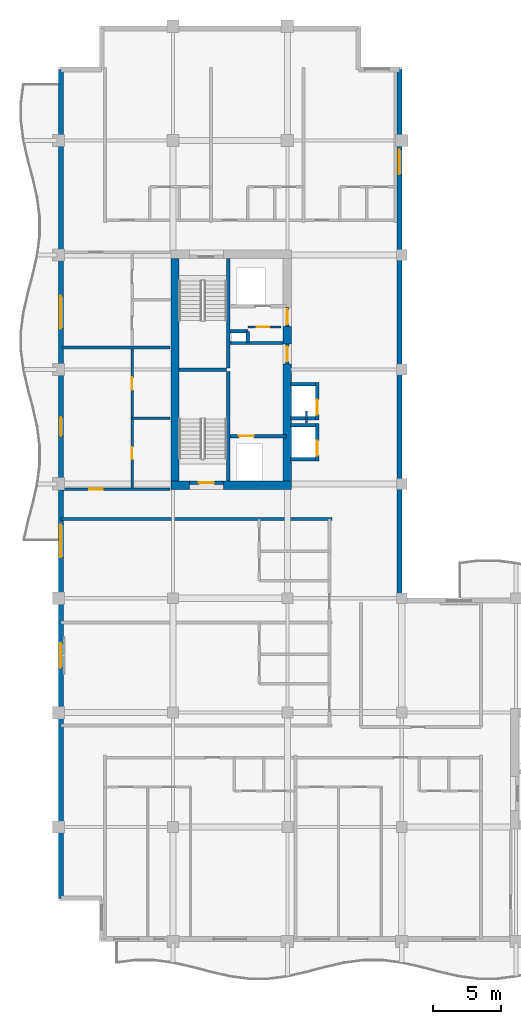
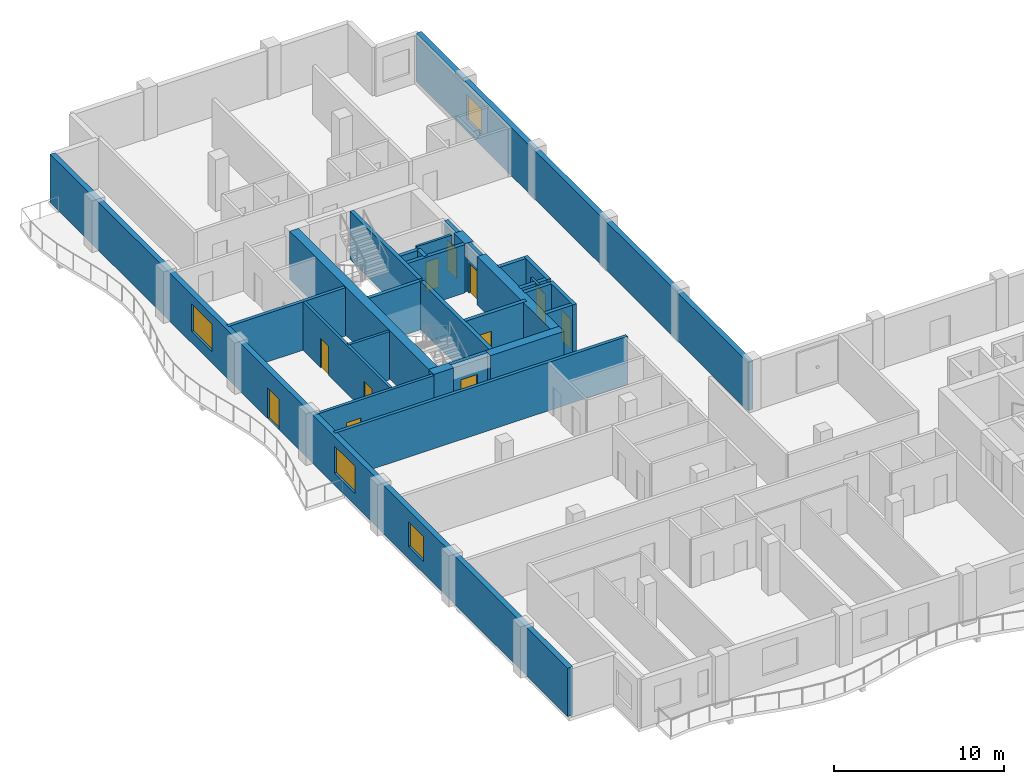
# One storey, part 6 of 12: 30 walls, 11 doors, 4 windows, 15 openings.
"""IFC4 building model written with IfcOpenShell, lengths in metres."""

from ifc_helpers import new_model, si_unit, direction, frame, frame_2d, origin, place, context, subcontext, project, spatial, rectangle, extrude, material, layer, layer_set, type_object, element, fill, save


model = new_model("IFC4")

# Units and contexts
model_context = context("Model", 3, precision=1e-05, world=origin(), true_north=direction((0.0, 1.0)))
body_context = subcontext(model_context, "Body", "Model", "MODEL_VIEW")
ifc_project = project(units=[si_unit("LENGTHUNIT", "METRE"), si_unit("AREAUNIT", "SQUARE_METRE"), si_unit("VOLUMEUNIT", "CUBIC_METRE"), si_unit("PLANEANGLEUNIT", "RADIAN"), si_unit("MASSUNIT", "GRAM", prefix="KILO")], contexts=[model_context])

# Site, building, storey
site_placement = place(None, origin())
site = spatial("IfcSite", under=ifc_project, at=site_placement, CompositionType="ELEMENT")
building_placement = place(site_placement, origin())
building = spatial("IfcBuilding", under=site, at=building_placement, Name="Koriwani Terraces Tower", CompositionType="ELEMENT")
storey_placement = place(building_placement, frame((0.0, 0.0, 256.39990234375)))
storey = spatial("IfcBuildingStorey", under=building, at=storey_placement, Name="L63", CompositionType="ELEMENT", Elevation=256.39990234375)

# Walls
ifc_material_1 = material(Name="Concrete C60/75", Category="concrete")
ifc_layer_1 = layer(ifc_material_1, 0.60009765625, Name="Concrete C60/75")
ifc_layer_set_1 = layer_set([ifc_layer_1], Name="Concrete C60/75")
wall_type_1 = type_object("IfcWallType", Name="WALL_CORE_RC_600", PredefinedType="SHEAR", material=ifc_layer_set_1)
wall_1_placement = place(storey_placement, frame((16.64990234375, 41.89990234375, 0.0), z_axis=(0.0, 0.0, 1.0), x_axis=(1.0, 0.0, 0.0)))
element("IfcWall", 1, at=wall_1_placement, inside=storey, type_object=wall_type_1, Name="L63 West Split Core Shear Wall S1", PredefinedType="SHEAR", context=body_context, shape_type="SweptSolid", body=[
    extrude(rectangle(XDim=1.35009765625, YDim=0.60009765625, at=frame_2d((0.675048828125, 0.0))), origin(), (0.0, 0.0, 1.0), 3.47021484375),
])
wall_2_placement = place(storey_placement, frame((20.5, 41.89990234375, 0.0), z_axis=(0.0, 0.0, 1.0), x_axis=(1.0, 0.0, 0.0)))
element("IfcWall", 2, at=wall_2_placement, inside=storey, type_object=wall_type_1, Name="L63 West Split Core Shear Wall S2", PredefinedType="SHEAR", context=body_context, shape_type="SweptSolid", body=[
    extrude(rectangle(XDim=5.0, YDim=0.60009765625, at=frame_2d((2.5, 0.0))), origin(), (0.0, 0.0, 1.0), 3.47021484375),
])
wall_3_placement = place(storey_placement, frame((16.949951171875, 42.199951171875, 0.0), z_axis=(0.0, 0.0, 1.0), x_axis=(0.0, 1.0, 0.0)))
element("IfcWall", 3, at=wall_3_placement, inside=storey, type_object=wall_type_1, Name="L63 West Split Core Shear Wall W1", PredefinedType="SHEAR", context=body_context, shape_type="SweptSolid", body=[
    extrude(rectangle(XDim=16.35009765625, YDim=0.60009765625, at=frame_2d((8.175048828125, 0.0))), origin(), (0.0, 0.0, 1.0), 3.47021484375),
])
wall_4_placement = place(storey_placement, frame((25.199951171875, 42.199951171875, 0.0), z_axis=(0.0, 0.0, 1.0), x_axis=(0.0, 1.0, 0.0)))
element("IfcWall", 4, at=wall_4_placement, inside=storey, type_object=wall_type_1, Name="L63 West Split Core Shear Wall E1", PredefinedType="SHEAR", context=body_context, shape_type="SweptSolid", body=[
    extrude(rectangle(XDim=8.60009765625, YDim=0.60009765625, at=frame_2d((4.300048828125, 0.0))), origin(), (0.0, 0.0, 1.0), 3.47021484375),
])
wall_5_placement = place(storey_placement, frame((25.199951171875, 52.280029296875, 0.0), z_axis=(0.0, 0.0, 1.0), x_axis=(0.0, 1.0, 0.0)))
element("IfcWall", 5, at=wall_5_placement, inside=storey, type_object=wall_type_1, Name="L63 West Split Core Shear Wall E2", PredefinedType="SHEAR", context=body_context, shape_type="SweptSolid", body=[
    extrude(rectangle(XDim=1.27001953125, YDim=0.60009765625, at=frame_2d((0.635009765625, 0.0))), origin(), (0.0, 0.0, 1.0), 3.47021484375),
])

# Wall, opening, door
ifc_material_2 = material(Name="Autoclaved Cellular Concrete Blockwork", Category="masonry")
ifc_layer_2 = layer(ifc_material_2, 0.199951171875, Name="Autoclaved Cellular Concrete Blockwork")
ifc_layer_set_2 = layer_set([ifc_layer_2], Name="Autoclaved Cellular Concrete Blockwork")
wall_type_2 = type_object("IfcWallType", Name="WALL_CORRIDOR_200", PredefinedType="PARTITIONING", material=ifc_layer_set_2)
wall_6_placement = place(storey_placement, frame((8.64990234375, 41.60009765625, 0.0), z_axis=(0.0, 0.0, 1.0), x_axis=(1.0, 0.0, 0.0)))
wall_6 = element("IfcWall", 6, at=wall_6_placement, inside=storey, type_object=wall_type_2, Name="L63 Interior Wall WRZ4-WS-L63", PredefinedType="PARTITIONING", context=body_context, shape_type="SweptSolid", body=[
    extrude(rectangle(XDim=7.9501953125, YDim=0.199951171875, at=frame_2d((3.97509765625, 0.0))), origin(), (0.0, 0.0, 1.0), 3.47021484375),
])
opening_1_placement = place(wall_6_placement, frame((2.0, 0.0, 0.0)))
opening_1 = element("IfcOpeningElement", 7, at=opening_1_placement, cuts=wall_6, Name="Opening D-05", PredefinedType="OPENING", context=body_context, shape_type="SweptSolid", body=[
    extrude(rectangle(XDim=1.0, YDim=2.14990234375, at=frame_2d((0.5, 1.074951171875))), frame((0.0, 0.10986328125, 0.0), z_axis=(0.0, -1.0, 0.0), x_axis=(1.0, 0.0, 0.0)), (0.0, 0.0, 1.0), 0.219970703125),
])
ifc_material_3 = material(Name="Architectural Oak Fire Door", Category="wood")
door_type_1 = type_object("IfcDoorType", Name="DOOR_SUITE_ENTRY_1000X2150", OperationType="NOTDEFINED", PredefinedType="DOOR", material=ifc_material_3)
door_1_placement = place(opening_1_placement, origin())
door_1 = element("IfcDoor", 8, at=door_1_placement, inside=storey, type_object=door_type_1, Name="Apartment 63RW1 Entrance Door", OperationType="SINGLE_SWING_RIGHT", OverallHeight=2.14990234375, OverallWidth=1.0, PredefinedType="DOOR", context=body_context, shape_type="SweptSolid", body=[
    extrude(rectangle(XDim=1.0, YDim=2.14990234375, at=frame_2d((0.5, 1.074951171875))), frame((0.0, 0.02490234375, 0.0), z_axis=(0.0, -1.0, 0.0), x_axis=(1.0, 0.0, 0.0)), (0.0, 0.0, 1.0), 0.050048828125),
])
fill(opening_1, door_1)

# Walls
ifc_layer_3 = layer(ifc_material_2, 0.219970703125, Name="Autoclaved Cellular Concrete Blockwork")
ifc_layer_set_3 = layer_set([ifc_layer_3], Name="Autoclaved Cellular Concrete Blockwork")
wall_type_3 = type_object("IfcWallType", Name="WALL_DEMISING_220", PredefinedType="PARTITIONING", material=ifc_layer_set_3)
wall_7_placement = place(storey_placement, frame((8.64990234375, 52.0, 0.0), z_axis=(0.0, 0.0, 1.0), x_axis=(1.0, 0.0, 0.0)))
element("IfcWall", 9, at=wall_7_placement, inside=storey, type_object=wall_type_3, Name="L63 Interior Wall WRZ4-WM-L63", PredefinedType="PARTITIONING", context=body_context, shape_type="SweptSolid", body=[
    extrude(rectangle(XDim=7.9501953125, YDim=0.219970703125, at=frame_2d((3.97509765625, 0.0))), origin(), (0.0, 0.0, 1.0), 3.47021484375),
])
wall_8_placement = place(storey_placement, frame((8.60009765625, 39.39990234375, 0.0), z_axis=(0.0, 0.0, 1.0), x_axis=(1.0, 0.0, 0.0)))
element("IfcWall", 10, at=wall_8_placement, inside=storey, type_object=wall_type_3, Name="L63 Interior Wall WRDEME-L63-NE", PredefinedType="PARTITIONING", context=body_context, shape_type="SweptSolid", body=[
    extrude(rectangle(XDim=19.8798828125, YDim=0.219970703125, at=frame_2d((9.93994140625, 0.0))), origin(), (0.0, 0.0, 1.0), 3.47021484375),
])

# Wall, openings, door, windows
ifc_material_4 = material(Name="Concrete C50/60", Category="concrete")
ifc_layer_4 = layer(ifc_material_4, 0.35009765625, Name="Concrete C50/60")
ifc_layer_set_4 = layer_set([ifc_layer_4], Name="Concrete C50/60")
wall_type_4 = type_object("IfcWallType", Name="WALL_EXT_BRUTALIST_350", PredefinedType="STANDARD", material=ifc_layer_set_4)
wall_9_placement = place(storey_placement, frame((8.574951171875, 11.574951171875, 0.0), z_axis=(0.0, 0.0, 1.0), x_axis=(0.0, 1.0, 0.0)))
wall_9 = element("IfcWall", 11, at=wall_9_placement, inside=storey, type_object=wall_type_4, Name="L63 Fair-Faced Brutalist Exterior Wall (W)", PredefinedType="STANDARD", context=body_context, shape_type="SweptSolid", body=[
    extrude(rectangle(XDim=60.85009765625, YDim=0.35009765625, at=frame_2d((30.425048828125, 0.0))), origin(), (0.0, 0.0, 1.0), 3.47021484375),
])
opening_2_placement = place(wall_9_placement, frame((33.925048828125, 0.0, 0.0)))
opening_2 = element("IfcOpeningElement", 12, at=opening_2_placement, cuts=wall_9, Name="Opening D-09", PredefinedType="OPENING", context=body_context, shape_type="SweptSolid", body=[
    extrude(rectangle(XDim=1.39990234375, YDim=2.199951171875, at=frame_2d((0.699951171875, 1.10009765625))), frame((0.0, 0.18505859375, 0.0), z_axis=(0.0, -1.0, 0.0), x_axis=(1.0, 0.0, 0.0)), (0.0, 0.0, 1.0), 0.3701171875),
])
opening_3_placement = place(wall_9_placement, frame((16.925048828125, 0.0, 0.85009765625)))
opening_3 = element("IfcOpeningElement", 13, at=opening_3_placement, cuts=wall_9, Name="Opening W-04", PredefinedType="OPENING", context=body_context, shape_type="SweptSolid", body=[
    extrude(rectangle(XDim=1.800048828125, YDim=1.800048828125, at=frame_2d((0.89990234375, 0.89990234375))), frame((0.0, 0.18505859375, 0.0), z_axis=(0.0, -1.0, 0.0), x_axis=(1.0, 0.0, 0.0)), (0.0, 0.0, 1.0), 0.3701171875),
])
opening_4_placement = place(wall_9_placement, frame((25.02490234375, 0.0, 0.85009765625)))
opening_4 = element("IfcOpeningElement", 14, at=opening_4_placement, cuts=wall_9, Name="Opening W-03", PredefinedType="OPENING", context=body_context, shape_type="SweptSolid", body=[
    extrude(rectangle(XDim=2.39990234375, YDim=1.949951171875, at=frame_2d((1.199951171875, 0.97509765625))), frame((0.0, 0.18505859375, 0.0), z_axis=(0.0, -1.0, 0.0), x_axis=(1.0, 0.0, 0.0)), (0.0, 0.0, 1.0), 0.3701171875),
])
opening_5_placement = place(wall_9_placement, frame((41.824951171875, 0.0, 0.85009765625)))
opening_5 = element("IfcOpeningElement", 15, at=opening_5_placement, cuts=wall_9, Name="Opening W-03", PredefinedType="OPENING", context=body_context, shape_type="SweptSolid", body=[
    extrude(rectangle(XDim=2.39990234375, YDim=1.949951171875, at=frame_2d((1.199951171875, 0.97509765625))), frame((0.0, 0.18505859375, 0.0), z_axis=(0.0, -1.0, 0.0), x_axis=(1.0, 0.0, 0.0)), (0.0, 0.0, 1.0), 0.3701171875),
])
ifc_material_5 = material(Name="Anodised Bronze Aluminium", Category="aluminium")
door_type_2 = type_object("IfcDoorType", Name="DOOR_BALCONY_GLAZED_1400X2200", OperationType="NOTDEFINED", PredefinedType="DOOR", material=ifc_material_5)
door_2_placement = place(opening_2_placement, origin())
door_2 = element("IfcDoor", 16, at=door_2_placement, inside=storey, type_object=door_type_2, Name="L63 West Balcony Glazed Door", OperationType="SINGLE_SWING_LEFT", OverallHeight=2.199951171875, OverallWidth=1.39990234375, PredefinedType="DOOR", context=body_context, shape_type="SweptSolid", body=[
    extrude(rectangle(XDim=1.39990234375, YDim=2.199951171875, at=frame_2d((0.699951171875, 1.10009765625))), frame((0.0, 0.02490234375, 0.0), z_axis=(0.0, -1.0, 0.0), x_axis=(1.0, 0.0, 0.0)), (0.0, 0.0, 1.0), 0.050048828125),
])
fill(opening_2, door_2)
ifc_material_6 = material(Name="Tempered Laminated Low-E Glass", Category="glass")
window_type_1 = type_object("IfcWindowType", Name="WIN_RES_BED_1800X1800", PartitioningType="DOUBLE_PANEL_VERTICAL", PredefinedType="WINDOW", material=ifc_material_6)
window_1_placement = place(opening_3_placement, origin())
window_1 = element("IfcWindow", 17, at=window_1_placement, inside=storey, type_object=window_type_1, Name="L63 Exterior Window (W-6)", OverallHeight=1.800048828125, OverallWidth=1.800048828125, PartitioningType="SINGLE_PANEL", PredefinedType="WINDOW", context=body_context, shape_type="SweptSolid", body=[
    extrude(rectangle(XDim=1.800048828125, YDim=1.800048828125, at=frame_2d((0.89990234375, 0.89990234375))), frame((0.0, 0.030029296875, 0.0), z_axis=(0.0, -1.0, 0.0), x_axis=(1.0, 0.0, 0.0)), (0.0, 0.0, 1.0), 0.06005859375),
])
fill(opening_3, window_1)
window_type_2 = type_object("IfcWindowType", Name="WIN_RES_LIVING_2400X1950", PartitioningType="DOUBLE_PANEL_VERTICAL", PredefinedType="WINDOW", material=ifc_material_6)
window_2_placement = place(opening_4_placement, origin())
window_2 = element("IfcWindow", 18, at=window_2_placement, inside=storey, type_object=window_type_2, Name="L63 Exterior Window (W-9)", OverallHeight=1.949951171875, OverallWidth=2.39990234375, PartitioningType="SINGLE_PANEL", PredefinedType="WINDOW", context=body_context, shape_type="SweptSolid", body=[
    extrude(rectangle(XDim=2.39990234375, YDim=1.949951171875, at=frame_2d((1.199951171875, 0.97509765625))), frame((0.0, 0.030029296875, 0.0), z_axis=(0.0, -1.0, 0.0), x_axis=(1.0, 0.0, 0.0)), (0.0, 0.0, 1.0), 0.06005859375),
])
fill(opening_4, window_2)
window_3_placement = place(opening_5_placement, origin())
window_3 = element("IfcWindow", 19, at=window_3_placement, inside=storey, type_object=window_type_2, Name="L63 Exterior Window (W-15)", OverallHeight=1.949951171875, OverallWidth=2.39990234375, PartitioningType="SINGLE_PANEL", PredefinedType="WINDOW", context=body_context, shape_type="SweptSolid", body=[
    extrude(rectangle(XDim=2.39990234375, YDim=1.949951171875, at=frame_2d((1.199951171875, 0.97509765625))), frame((0.0, 0.030029296875, 0.0), z_axis=(0.0, -1.0, 0.0), x_axis=(1.0, 0.0, 0.0)), (0.0, 0.0, 1.0), 0.06005859375),
])
fill(opening_5, window_3)

# Wall, opening, window
wall_10_placement = place(storey_placement, frame((33.425048828125, 72.425048828125, 0.0), z_axis=(0.0, 0.0, 1.0), x_axis=(0.0, -1.0, 0.0)))
wall_10 = element("IfcWall", 20, at=wall_10_placement, inside=storey, type_object=wall_type_4, Name="L63 Fair-Faced Brutalist Exterior Wall (NW_IN)", PredefinedType="STANDARD", context=body_context, shape_type="SweptSolid", body=[
    extrude(rectangle(XDim=39.0, YDim=0.35009765625, at=frame_2d((19.5, 0.0))), origin(), (0.0, 0.0, 1.0), 3.47021484375),
])
opening_6_placement = place(wall_10_placement, frame((5.89990234375, 0.0, 0.85009765625)))
opening_6 = element("IfcOpeningElement", 21, at=opening_6_placement, cuts=wall_10, Name="Opening W-04", PredefinedType="OPENING", context=body_context, shape_type="SweptSolid", body=[
    extrude(rectangle(XDim=1.800048828125, YDim=1.800048828125, at=frame_2d((0.89990234375, 0.89990234375))), frame((0.0, 0.18505859375, 0.0), z_axis=(0.0, -1.0, 0.0), x_axis=(1.0, 0.0, 0.0)), (0.0, 0.0, 1.0), 0.3701171875),
])
window_4_placement = place(opening_6_placement, origin())
window_4 = element("IfcWindow", 22, at=window_4_placement, inside=storey, type_object=window_type_1, Name="L63 Exterior Window (NW_IN-R54)", OverallHeight=1.800048828125, OverallWidth=1.800048828125, PartitioningType="SINGLE_PANEL", PredefinedType="WINDOW", context=body_context, shape_type="SweptSolid", body=[
    extrude(rectangle(XDim=1.800048828125, YDim=1.800048828125, at=frame_2d((0.89990234375, 0.89990234375))), frame((0.0, 0.030029296875, 0.0), z_axis=(0.0, -1.0, 0.0), x_axis=(1.0, 0.0, 0.0)), (0.0, 0.0, 1.0), 0.06005859375),
])
fill(opening_6, window_4)

# Wall, openings, doors
ifc_material_7 = material(Name="Fire-Rated Acoustic Gypsum Partition", Category="masonry")
ifc_layer_5 = layer(ifc_material_7, 0.179931640625, Name="Fire-Rated Acoustic Gypsum Partition")
ifc_layer_set_5 = layer_set([ifc_layer_5], Name="Fire-Rated Acoustic Gypsum Partition")
wall_type_5 = type_object("IfcWallType", Name="WALL_PLUMBING_180", PredefinedType="PLUMBINGWALL", material=ifc_layer_set_5)
wall_11_placement = place(storey_placement, frame((13.800048828125, 41.699951171875, 0.0), z_axis=(0.0, 0.0, 1.0), x_axis=(0.0, 1.0, 0.0)))
wall_11 = element("IfcWall", 23, at=wall_11_placement, inside=storey, type_object=wall_type_5, Name="L63 Interior Wall WRZ4-RW1-PB-L63", PredefinedType="PLUMBINGWALL", context=body_context, shape_type="SweptSolid", body=[
    extrude(rectangle(XDim=10.199951171875, YDim=0.179931640625, at=frame_2d((5.10009765625, 0.0))), origin(), (0.0, 0.0, 1.0), 3.47021484375),
])
opening_7_placement = place(wall_11_placement, frame((2.10009765625, 0.0, 0.0)))
opening_7 = element("IfcOpeningElement", 24, at=opening_7_placement, cuts=wall_11, Name="Opening D-07", PredefinedType="OPENING", context=body_context, shape_type="SweptSolid", body=[
    extrude(rectangle(XDim=0.89990234375, YDim=2.10009765625, at=frame_2d((0.449951171875, 1.050048828125))), frame((0.0, 0.10009765625, 0.0), z_axis=(0.0, -1.0, 0.0), x_axis=(1.0, 0.0, 0.0)), (0.0, 0.0, 1.0), 0.199951171875),
])
opening_8_placement = place(wall_11_placement, frame((7.18994140625, 0.0, 0.0)))
opening_8 = element("IfcOpeningElement", 25, at=opening_8_placement, cuts=wall_11, Name="Opening D-06", PredefinedType="OPENING", context=body_context, shape_type="SweptSolid", body=[
    extrude(rectangle(XDim=0.919921875, YDim=2.10009765625, at=frame_2d((0.4599609375, 1.050048828125))), frame((0.0, 0.10009765625, 0.0), z_axis=(0.0, -1.0, 0.0), x_axis=(1.0, 0.0, 0.0)), (0.0, 0.0, 1.0), 0.199951171875),
])
door_type_3 = type_object("IfcDoorType", Name="DOOR_BATH_INT_900X2100", OperationType="NOTDEFINED", PredefinedType="DOOR", material=ifc_material_3)
door_3_placement = place(opening_7_placement, origin())
door_3 = element("IfcDoor", 26, at=door_3_placement, inside=storey, type_object=door_type_3, Name="Apartment 63RW1 Bathroom Door", OperationType="SINGLE_SWING_RIGHT", OverallHeight=2.10009765625, OverallWidth=0.89990234375, PredefinedType="DOOR", context=body_context, shape_type="SweptSolid", body=[
    extrude(rectangle(XDim=0.89990234375, YDim=2.10009765625, at=frame_2d((0.449951171875, 1.050048828125))), frame((0.0, 0.02490234375, 0.0), z_axis=(0.0, -1.0, 0.0), x_axis=(1.0, 0.0, 0.0)), (0.0, 0.0, 1.0), 0.050048828125),
])
fill(opening_7, door_3)
door_type_4 = type_object("IfcDoorType", Name="DOOR_ROOM_INT_920X2100", OperationType="NOTDEFINED", PredefinedType="DOOR", material=ifc_material_3)
door_4_placement = place(opening_8_placement, origin())
door_4 = element("IfcDoor", 27, at=door_4_placement, inside=storey, type_object=door_type_4, Name="Apartment 63RW1 Kitchen Door", OperationType="SINGLE_SWING_LEFT", OverallHeight=2.10009765625, OverallWidth=0.919921875, PredefinedType="DOOR", context=body_context, shape_type="SweptSolid", body=[
    extrude(rectangle(XDim=0.919921875, YDim=2.10009765625, at=frame_2d((0.4599609375, 1.050048828125))), frame((0.0, 0.02490234375, 0.0), z_axis=(0.0, -1.0, 0.0), x_axis=(1.0, 0.0, 0.0)), (0.0, 0.0, 1.0), 0.050048828125),
])
fill(opening_8, door_4)

# Walls
wall_12_placement = place(storey_placement, frame((13.800048828125, 46.800048828125, 0.0), z_axis=(0.0, 0.0, 1.0), x_axis=(1.0, 0.0, 0.0)))
element("IfcWall", 28, at=wall_12_placement, inside=storey, type_object=wall_type_5, Name="L63 Interior Wall WRZ4-RW1-P2-L63", PredefinedType="PLUMBINGWALL", context=body_context, shape_type="SweptSolid", body=[
    extrude(rectangle(XDim=2.800048828125, YDim=0.179931640625, at=frame_2d((1.39990234375, 0.0))), origin(), (0.0, 0.0, 1.0), 3.47021484375),
])
ifc_material_8 = material(Name="Concrete C40/50", Category="concrete")
ifc_layer_6 = layer(ifc_material_8, 0.25, Name="Concrete C40/50")
ifc_layer_set_6 = layer_set([ifc_layer_6], Name="Concrete C40/50")
wall_type_6 = type_object("IfcWallType", Name="WALL_SHAFT_RATED_250", PredefinedType="SOLIDWALL", material=ifc_layer_set_6)
for number, where, z_axis, x_axis, name in (
    (29, (20.875, 42.199951171875, 0.0), (0.0, 0.0, 1.0), (0.0, 1.0, 0.0), "L63 West Split Core Web Wall MID1"),
    (30, (20.875, 50.5, 0.0), (0.0, 0.0, 1.0), (0.0, 1.0, 0.0), "L63 West Split Core Web Wall MID2"),
):
    element("IfcWall", number, at=place(storey_placement, frame(where, z_axis=z_axis, x_axis=x_axis)), inside=storey, type_object=wall_type_6, Name=name, PredefinedType="SOLIDWALL", context=body_context, shape_type="SweptSolid", body=[
        extrude(rectangle(XDim=8.050048828125, YDim=0.25, at=frame_2d((4.02490234375, 0.0))), origin(), (0.0, 0.0, 1.0), 3.47021484375),
    ])
wall_13_placement = place(storey_placement, frame((17.25, 50.375, 0.0), z_axis=(0.0, 0.0, 1.0), x_axis=(1.0, 0.0, 0.0)))
element("IfcWall", 31, at=wall_13_placement, inside=storey, type_object=wall_type_6, Name="L63 West Split Core Stair Dividing Wall", PredefinedType="SOLIDWALL", context=body_context, shape_type="SweptSolid", body=[
    extrude(rectangle(XDim=3.5, YDim=0.25, at=frame_2d((1.75, 0.0))), origin(), (0.0, 0.0, 1.0), 3.47021484375),
])

# Wall, opening, door
wall_14_placement = place(storey_placement, frame((18.0, 42.074951171875, 0.0), z_axis=(0.0, 0.0, 1.0), x_axis=(1.0, 0.0, 0.0)))
wall_14 = element("IfcWall", 32, at=wall_14_placement, inside=storey, type_object=wall_type_6, Name="L63 Interior Wall WIN-CW-L63-STS", PredefinedType="SOLIDWALL", context=body_context, shape_type="SweptSolid", body=[
    extrude(rectangle(XDim=2.5, YDim=0.25, at=frame_2d((1.25, 0.0))), origin(), (0.0, 0.0, 1.0), 3.47021484375),
])
opening_9_placement = place(wall_14_placement, frame((0.699951171875, 0.0, 0.0)))
opening_9 = element("IfcOpeningElement", 33, at=opening_9_placement, cuts=wall_14, Name="Opening D-03", PredefinedType="OPENING", context=body_context, shape_type="SweptSolid", body=[
    extrude(rectangle(XDim=1.10009765625, YDim=2.14990234375, at=frame_2d((0.550048828125, 1.074951171875))), frame((0.0, 0.135009765625, 0.0), z_axis=(0.0, -1.0, 0.0), x_axis=(1.0, 0.0, 0.0)), (0.0, 0.0, 1.0), 0.27001953125),
])
ifc_material_9 = material(Name="Steel ASTM A572 Grade 50", Category="steel")
door_type_5 = type_object("IfcDoorType", Name="DOOR_STAIR_FIRE_1100X2150", OperationType="NOTDEFINED", PredefinedType="DOOR", material=ifc_material_9)
door_5_placement = place(opening_9_placement, origin())
door_5 = element("IfcDoor", 34, at=door_5_placement, inside=storey, type_object=door_type_5, Name="L63 Exit Stair ST-W1 Door", OperationType="SINGLE_SWING_LEFT", OverallHeight=2.14990234375, OverallWidth=1.10009765625, PredefinedType="DOOR", context=body_context, shape_type="SweptSolid", body=[
    extrude(rectangle(XDim=1.10009765625, YDim=2.14990234375, at=frame_2d((0.550048828125, 1.074951171875))), frame((0.0, 0.02490234375, 0.0), z_axis=(0.0, -1.0, 0.0), x_axis=(1.0, 0.0, 0.0)), (0.0, 0.0, 1.0), 0.050048828125),
])
fill(opening_9, door_5)

wall_15_placement = place(storey_placement, frame((21.0, 45.5, 0.0), z_axis=(0.0, 0.0, 1.0), x_axis=(1.0, 0.0, 0.0)))
wall_15 = element("IfcWall", 35, at=wall_15_placement, inside=storey, type_object=wall_type_6, Name="L63 Interior Wall WIN-CW-L63-FE", PredefinedType="SOLIDWALL", context=body_context, shape_type="SweptSolid", body=[
    extrude(rectangle(XDim=4.14990234375, YDim=0.25, at=frame_2d((2.074951171875, 0.0))), origin(), (0.0, 0.0, 1.0), 3.47021484375),
])
opening_10_placement = place(wall_15_placement, frame((0.64990234375, 0.0, 0.0)))
opening_10 = element("IfcOpeningElement", 36, at=opening_10_placement, cuts=wall_15, Name="Opening LD-01", PredefinedType="OPENING", context=body_context, shape_type="SweptSolid", body=[
    extrude(rectangle(XDim=1.10009765625, YDim=2.14990234375, at=frame_2d((0.550048828125, 1.074951171875))), frame((0.0, 0.135009765625, 0.0), z_axis=(0.0, -1.0, 0.0), x_axis=(1.0, 0.0, 0.0)), (0.0, 0.0, 1.0), 0.27001953125),
])
door_type_6 = type_object("IfcDoorType", Name="DOOR_LIFT_LANDING_1100X2200", OperationType="NOTDEFINED", PredefinedType="DOOR", material=ifc_material_9)
door_6_placement = place(opening_10_placement, origin())
door_6 = element("IfcDoor", 37, at=door_6_placement, inside=storey, type_object=door_type_6, Name="L63 Firefighting Lift FE-01 Landing Door", OperationType="SLIDING_TO_LEFT", OverallHeight=2.14990234375, OverallWidth=1.10009765625, PredefinedType="DOOR", context=body_context, shape_type="SweptSolid", body=[
    extrude(rectangle(XDim=1.10009765625, YDim=2.14990234375, at=frame_2d((0.550048828125, 1.074951171875))), frame((0.0, 0.02490234375, 0.0), z_axis=(0.0, -1.0, 0.0), x_axis=(1.0, 0.0, 0.0)), (0.0, 0.0, 1.0), 0.050048828125),
])
fill(opening_10, door_6)

wall_16_placement = place(storey_placement, frame((25.199951171875, 50.800048828125, 0.0), z_axis=(0.0, 0.0, 1.0), x_axis=(0.0, 1.0, 0.0)))
wall_16 = element("IfcWall", 38, at=wall_16_placement, inside=storey, type_object=wall_type_6, Name="L63 Interior Wall WIN-CW-L63-EP", PredefinedType="SOLIDWALL", context=body_context, shape_type="SweptSolid", body=[
    extrude(rectangle(XDim=1.47998046875, YDim=0.25, at=frame_2d((0.739990234375, 0.0))), origin(), (0.0, 0.0, 1.0), 3.47021484375),
])
opening_11_placement = place(wall_16_placement, frame((0.179931640625, 0.0, 0.0)))
opening_11 = element("IfcOpeningElement", 39, at=opening_11_placement, cuts=wall_16, Name="Opening D-03", PredefinedType="OPENING", context=body_context, shape_type="SweptSolid", body=[
    extrude(rectangle(XDim=1.10009765625, YDim=2.14990234375, at=frame_2d((0.550048828125, 1.074951171875))), frame((0.0, 0.135009765625, 0.0), z_axis=(0.0, -1.0, 0.0), x_axis=(1.0, 0.0, 0.0)), (0.0, 0.0, 1.0), 0.27001953125),
])
door_7_placement = place(opening_11_placement, origin())
door_7 = element("IfcDoor", 40, at=door_7_placement, inside=storey, type_object=door_type_5, Name="L63 West Firefighting Lobby Door", OperationType="SINGLE_SWING_LEFT", OverallHeight=2.14990234375, OverallWidth=1.10009765625, PredefinedType="DOOR", context=body_context, shape_type="SweptSolid", body=[
    extrude(rectangle(XDim=1.10009765625, YDim=2.14990234375, at=frame_2d((0.550048828125, 1.074951171875))), frame((0.0, 0.02490234375, 0.0), z_axis=(0.0, -1.0, 0.0), x_axis=(1.0, 0.0, 0.0)), (0.0, 0.0, 1.0), 0.050048828125),
])
fill(opening_11, door_7)

# Wall
wall_17_placement = place(storey_placement, frame((21.0, 52.340087890625, 0.0), z_axis=(0.0, 0.0, 1.0), x_axis=(1.0, 0.0, 0.0)))
element("IfcWall", 41, at=wall_17_placement, inside=storey, type_object=wall_type_6, Name="L63 Interior Wall WIN-CW-L63-FFN", PredefinedType="SOLIDWALL", context=body_context, shape_type="SweptSolid", body=[
    extrude(rectangle(XDim=3.89990234375, YDim=0.25, at=frame_2d((1.949951171875, 0.0))), origin(), (0.0, 0.0, 1.0), 3.47021484375),
])

# Wall, opening, door
wall_18_placement = place(storey_placement, frame((25.199951171875, 53.550048828125, 0.0), z_axis=(0.0, 0.0, 1.0), x_axis=(0.0, 1.0, 0.0)))
wall_18 = element("IfcWall", 42, at=wall_18_placement, inside=storey, type_object=wall_type_6, Name="L63 Interior Wall WIN-CW-L63-EP2", PredefinedType="SOLIDWALL", context=body_context, shape_type="SweptSolid", body=[
    extrude(rectangle(XDim=1.39990234375, YDim=0.25, at=frame_2d((0.699951171875, 0.0))), origin(), (0.0, 0.0, 1.0), 3.47021484375),
])
opening_12_placement = place(wall_18_placement, frame((0.14990234375, 0.0, 0.0)))
opening_12 = element("IfcOpeningElement", 43, at=opening_12_placement, cuts=wall_18, Name="Opening D-03", PredefinedType="OPENING", context=body_context, shape_type="SweptSolid", body=[
    extrude(rectangle(XDim=1.10009765625, YDim=2.14990234375, at=frame_2d((0.550048828125, 1.074951171875))), frame((0.0, 0.135009765625, 0.0), z_axis=(0.0, -1.0, 0.0), x_axis=(1.0, 0.0, 0.0)), (0.0, 0.0, 1.0), 0.27001953125),
])
door_8_placement = place(opening_12_placement, origin())
door_8 = element("IfcDoor", 44, at=door_8_placement, inside=storey, type_object=door_type_5, Name="L63 West Goods Lift Lobby Door", OperationType="SINGLE_SWING_RIGHT", OverallHeight=2.14990234375, OverallWidth=1.10009765625, PredefinedType="DOOR", context=body_context, shape_type="SweptSolid", body=[
    extrude(rectangle(XDim=1.10009765625, YDim=2.14990234375, at=frame_2d((0.550048828125, 1.074951171875))), frame((0.0, 0.02490234375, 0.0), z_axis=(0.0, -1.0, 0.0), x_axis=(1.0, 0.0, 0.0)), (0.0, 0.0, 1.0), 0.050048828125),
])
fill(opening_12, door_8)

# Walls
wall_19_placement = place(storey_placement, frame((21.0, 53.199951171875, 0.0), z_axis=(0.0, 0.0, 1.0), x_axis=(1.0, 0.0, 0.0)))
element("IfcWall", 45, at=wall_19_placement, inside=storey, type_object=wall_type_6, Name="L63 Interior Wall WIN-CW-L63-RS1", PredefinedType="SOLIDWALL", context=body_context, shape_type="SweptSolid", body=[
    extrude(rectangle(XDim=1.300048828125, YDim=0.25, at=frame_2d((0.64990234375, 0.0))), origin(), (0.0, 0.0, 1.0), 3.47021484375),
])
wall_20_placement = place(storey_placement, frame((22.300048828125, 52.360107421875, 0.0), z_axis=(0.0, 0.0, 1.0), x_axis=(0.0, 1.0, 0.0)))
element("IfcWall", 46, at=wall_20_placement, inside=storey, type_object=wall_type_6, Name="L63 Interior Wall WIN-CW-L63-RS2", PredefinedType="SOLIDWALL", context=body_context, shape_type="SweptSolid", body=[
    extrude(rectangle(XDim=0.83984375, YDim=0.25, at=frame_2d((0.419921875, 0.0))), origin(), (0.0, 0.0, 1.0), 3.47021484375),
])

# Wall, opening, door
wall_21_placement = place(storey_placement, frame((27.39990234375, 43.675048828125, 0.0), z_axis=(0.0, 0.0, 1.0), x_axis=(0.0, 1.0, 0.0)))
wall_21 = element("IfcWall", 47, at=wall_21_placement, inside=storey, type_object=wall_type_6, Name="L63 Interior Wall WIN-LF-PE-H1-L63-F", PredefinedType="SOLIDWALL", context=body_context, shape_type="SweptSolid", body=[
    extrude(rectangle(XDim=2.75, YDim=0.25, at=frame_2d((1.375, 0.0))), origin(), (0.0, 0.0, 1.0), 3.47021484375),
])
opening_13_placement = place(wall_21_placement, frame((0.39990234375, 0.0, 0.0)))
opening_13 = element("IfcOpeningElement", 48, at=opening_13_placement, cuts=wall_21, Name="Opening LD-01", PredefinedType="OPENING", context=body_context, shape_type="SweptSolid", body=[
    extrude(rectangle(XDim=1.10009765625, YDim=2.14990234375, at=frame_2d((0.550048828125, 1.074951171875))), frame((0.0, 0.135009765625, 0.0), z_axis=(0.0, -1.0, 0.0), x_axis=(1.0, 0.0, 0.0)), (0.0, 0.0, 1.0), 0.27001953125),
])
door_9_placement = place(opening_13_placement, origin())
door_9 = element("IfcDoor", 49, at=door_9_placement, inside=storey, type_object=door_type_6, Name="L63 Passenger Lift PE-H1 Landing Door", OperationType="SLIDING_TO_LEFT", OverallHeight=2.14990234375, OverallWidth=1.10009765625, PredefinedType="DOOR", context=body_context, shape_type="SweptSolid", body=[
    extrude(rectangle(XDim=1.10009765625, YDim=2.14990234375, at=frame_2d((0.550048828125, 1.074951171875))), frame((0.0, 0.02490234375, 0.0), z_axis=(0.0, -1.0, 0.0), x_axis=(1.0, 0.0, 0.0)), (0.0, 0.0, 1.0), 0.050048828125),
])
fill(opening_13, door_9)

# Walls
for number, where, z_axis, x_axis, name in (
    (50, (25.449951171875, 43.800048828125, 0.0), (0.0, 0.0, 1.0), (1.0, 0.0, 0.0), "L63 Interior Wall WIN-LF-PE-H1-L63-S"),
    (51, (25.449951171875, 46.300048828125, 0.0), (0.0, 0.0, 1.0), (1.0, 0.0, 0.0), "L63 Interior Wall WIN-LF-PE-H1-L63-N"),
):
    element("IfcWall", number, at=place(storey_placement, frame(where, z_axis=z_axis, x_axis=x_axis)), inside=storey, type_object=wall_type_6, Name=name, PredefinedType="SOLIDWALL", context=body_context, shape_type="SweptSolid", body=[
        extrude(rectangle(XDim=1.824951171875, YDim=0.25, at=frame_2d((0.91259765625, 0.0))), origin(), (0.0, 0.0, 1.0), 3.47021484375),
    ])

# Wall, opening, door
wall_22_placement = place(storey_placement, frame((27.39990234375, 46.675048828125, 0.0), z_axis=(0.0, 0.0, 1.0), x_axis=(0.0, 1.0, 0.0)))
wall_22 = element("IfcWall", 52, at=wall_22_placement, inside=storey, type_object=wall_type_6, Name="L63 Interior Wall WIN-LF-PE-H2-L63-F", PredefinedType="SOLIDWALL", context=body_context, shape_type="SweptSolid", body=[
    extrude(rectangle(XDim=2.75, YDim=0.25, at=frame_2d((1.375, 0.0))), origin(), (0.0, 0.0, 1.0), 3.47021484375),
])
opening_14_placement = place(wall_22_placement, frame((0.39990234375, 0.0, 0.0)))
opening_14 = element("IfcOpeningElement", 53, at=opening_14_placement, cuts=wall_22, Name="Opening LD-01", PredefinedType="OPENING", context=body_context, shape_type="SweptSolid", body=[
    extrude(rectangle(XDim=1.10009765625, YDim=2.14990234375, at=frame_2d((0.550048828125, 1.074951171875))), frame((0.0, 0.135009765625, 0.0), z_axis=(0.0, -1.0, 0.0), x_axis=(1.0, 0.0, 0.0)), (0.0, 0.0, 1.0), 0.27001953125),
])
door_10_placement = place(opening_14_placement, origin())
door_10 = element("IfcDoor", 54, at=door_10_placement, inside=storey, type_object=door_type_6, Name="L63 Passenger Lift PE-H2 Landing Door", OperationType="SLIDING_TO_LEFT", OverallHeight=2.14990234375, OverallWidth=1.10009765625, PredefinedType="DOOR", context=body_context, shape_type="SweptSolid", body=[
    extrude(rectangle(XDim=1.10009765625, YDim=2.14990234375, at=frame_2d((0.550048828125, 1.074951171875))), frame((0.0, 0.02490234375, 0.0), z_axis=(0.0, -1.0, 0.0), x_axis=(1.0, 0.0, 0.0)), (0.0, 0.0, 1.0), 0.050048828125),
])
fill(opening_14, door_10)

# Walls
for number, where, z_axis, x_axis, name in (
    (55, (25.449951171875, 46.800048828125, 0.0), (0.0, 0.0, 1.0), (1.0, 0.0, 0.0), "L63 Interior Wall WIN-LF-PE-H2-L63-S"),
    (56, (25.449951171875, 49.300048828125, 0.0), (0.0, 0.0, 1.0), (1.0, 0.0, 0.0), "L63 Interior Wall WIN-LF-PE-H2-L63-N"),
):
    element("IfcWall", number, at=place(storey_placement, frame(where, z_axis=z_axis, x_axis=x_axis)), inside=storey, type_object=wall_type_6, Name=name, PredefinedType="SOLIDWALL", context=body_context, shape_type="SweptSolid", body=[
        extrude(rectangle(XDim=1.824951171875, YDim=0.25, at=frame_2d((0.91259765625, 0.0))), origin(), (0.0, 0.0, 1.0), 3.47021484375),
    ])

# Wall, opening, door
ifc_layer_7 = layer(ifc_material_7, 0.159912109375, Name="Fire-Rated Acoustic Gypsum Partition")
ifc_layer_set_7 = layer_set([ifc_layer_7], Name="Fire-Rated Acoustic Gypsum Partition")
wall_type_7 = type_object("IfcWallType", Name="WALL_SUITE_160", PredefinedType="PARTITIONING", material=ifc_layer_set_7)
wall_23_placement = place(storey_placement, frame((22.320068359375, 53.52001953125, 0.0), z_axis=(0.0, 0.0, 1.0), x_axis=(1.0, 0.0, 0.0)))
wall_23 = element("IfcWall", 57, at=wall_23_placement, inside=storey, type_object=wall_type_7, Name="L63 Interior Wall WIN-CW-L63-SV0", PredefinedType="PARTITIONING", context=body_context, shape_type="SweptSolid", body=[
    extrude(rectangle(XDim=2.39990234375, YDim=0.159912109375, at=frame_2d((1.199951171875, 0.0))), origin(), (0.0, 0.0, 1.0), 3.47021484375),
])
opening_15_placement = place(wall_23_placement, frame((0.64990234375, 0.0, 0.0)))
opening_15 = element("IfcOpeningElement", 58, at=opening_15_placement, cuts=wall_23, Name="Opening D-07", PredefinedType="OPENING", context=body_context, shape_type="SweptSolid", body=[
    extrude(rectangle(XDim=0.89990234375, YDim=2.10009765625, at=frame_2d((0.449951171875, 1.050048828125))), frame((0.0, 0.08984375, 0.0), z_axis=(0.0, -1.0, 0.0), x_axis=(1.0, 0.0, 0.0)), (0.0, 0.0, 1.0), 0.179931640625),
])
door_11_placement = place(opening_15_placement, origin())
door_11 = element("IfcDoor", 59, at=door_11_placement, inside=storey, type_object=door_type_3, Name="L63 West Electrical Switch Room Door", OperationType="SINGLE_SWING_LEFT", OverallHeight=2.10009765625, OverallWidth=0.89990234375, PredefinedType="DOOR", context=body_context, shape_type="SweptSolid", body=[
    extrude(rectangle(XDim=0.89990234375, YDim=2.10009765625, at=frame_2d((0.449951171875, 1.050048828125))), frame((0.0, 0.02490234375, 0.0), z_axis=(0.0, -1.0, 0.0), x_axis=(1.0, 0.0, 0.0)), (0.0, 0.0, 1.0), 0.050048828125),
])
fill(opening_15, door_11)

# Wall
wall_24_placement = place(storey_placement, frame((26.60009765625, 46.4599609375, 0.0), z_axis=(0.0, 0.0, 1.0), x_axis=(0.0, 1.0, 0.0)))
element("IfcWall", 60, at=wall_24_placement, inside=storey, type_object=wall_type_7, Name="L63 Interior Wall WIN-LF-PEH12-MID-L63", PredefinedType="PARTITIONING", context=body_context, shape_type="SweptSolid", body=[
    extrude(rectangle(XDim=0.880126953125, YDim=0.159912109375, at=frame_2d((0.43994140625, 0.0))), origin(), (0.0, 0.0, 1.0), 3.47021484375),
])

save(model, "model.ifc")
